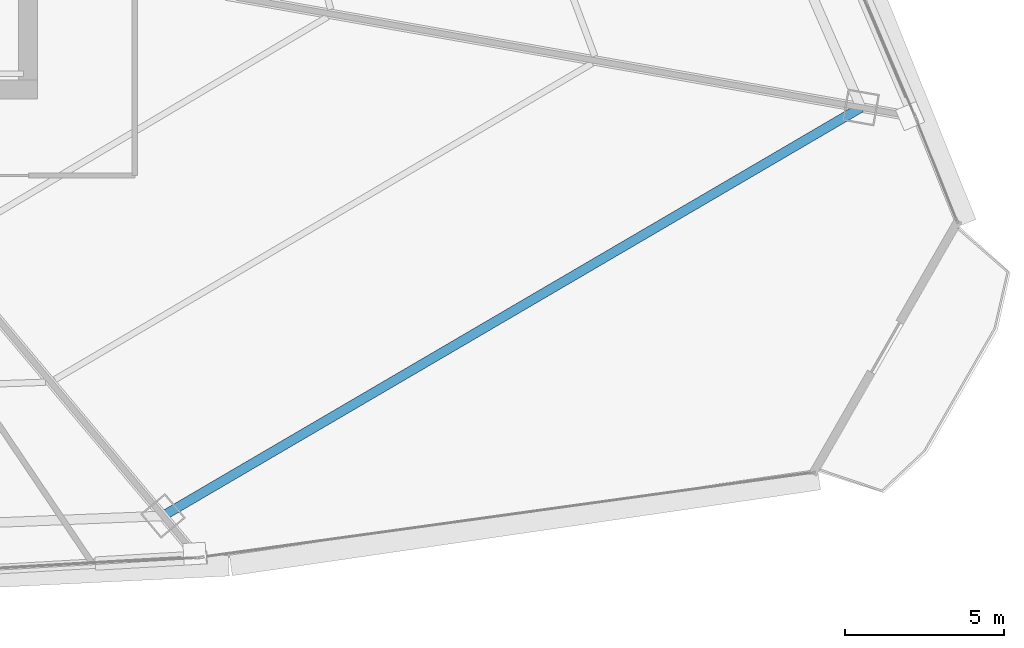
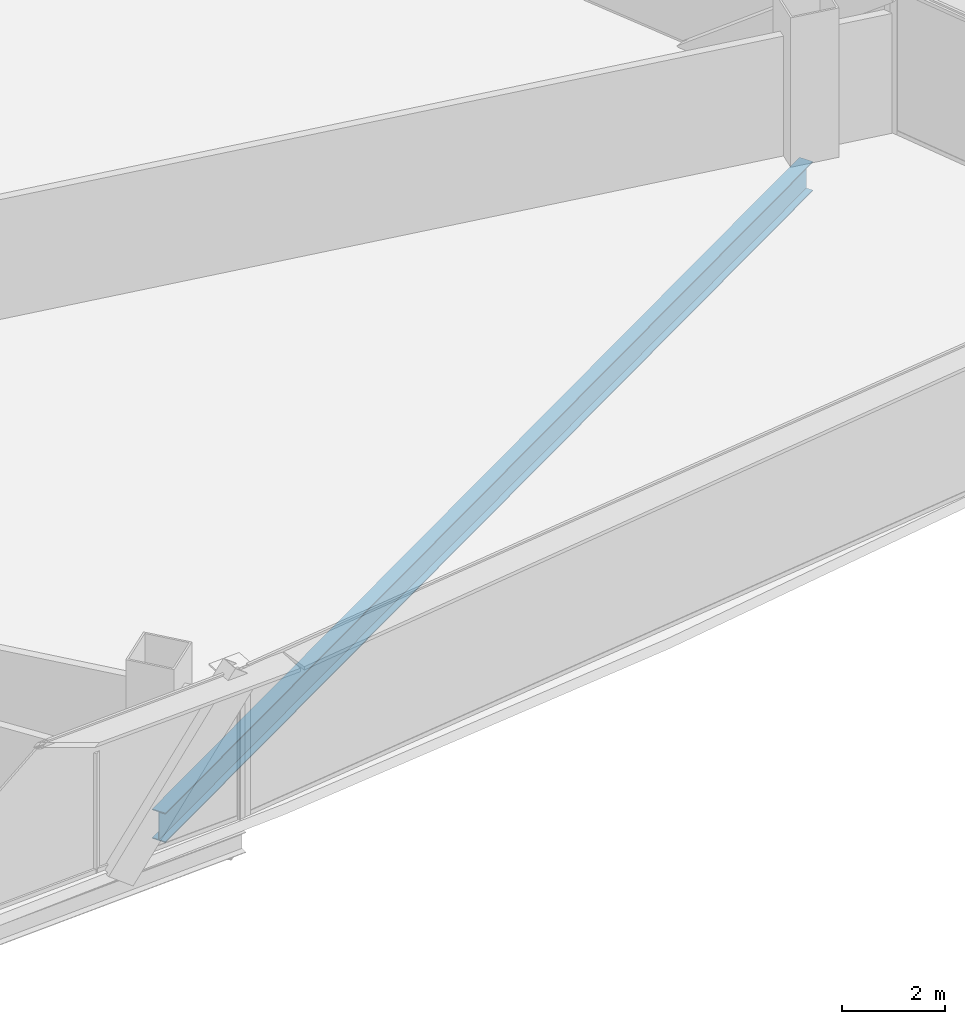
# One storey, part 21 of 36: 1 beam.
"""IFC4 building model written with IfcOpenShell, lengths in metres."""

from ifc_helpers import new_model, si_unit, direction, frame, origin, origin_2d, place, context, subcontext, project, spatial, i_section, extrude, source, transform, mapped, material, material_profile, profile_set, type_object, element, save


model = new_model("IFC4")

# Units and contexts
model_context = context("Model", 3, precision=1e-05, world=origin(), true_north=direction((0.0, 1.0)))
body_context = subcontext(model_context, "Body", "Model", "MODEL_VIEW")
ifc_project = project(units=[si_unit("LENGTHUNIT", "METRE"), si_unit("AREAUNIT", "SQUARE_METRE"), si_unit("VOLUMEUNIT", "CUBIC_METRE"), si_unit("PLANEANGLEUNIT", "RADIAN"), si_unit("MASSUNIT", "GRAM", prefix="KILO"), si_unit("THERMODYNAMICTEMPERATUREUNIT", "KELVIN"), si_unit("POWERUNIT", "WATT")], contexts=[model_context])

# Site, building, storey
site_placement = place(None, origin())
site = spatial("IfcSite", under=ifc_project, at=site_placement, CompositionType="ELEMENT")
building_placement = place(site_placement, origin())
building = spatial("IfcBuilding", under=site, at=building_placement, Name="Yunzhuo Pagoda Commons", CompositionType="ELEMENT")
storey_placement = place(building_placement, frame((0.0, 0.0, 107.780029296875)))
storey = spatial("IfcBuildingStorey", under=building, at=storey_placement, Name="L27", CompositionType="ELEMENT", Elevation=107.780029296875)

# Beam
ifc_material = material(Name="Structural steel Q355B", Category="steel")
ifc_material_profile = material_profile(ifc_material, i_section(OverallWidth=0.300048828125, OverallDepth=0.699951171875, WebThickness=0.012939453125, FlangeThickness=0.02392578125, at=origin_2d()), Name="Structural steel Q355B")
ifc_profile_set = profile_set([ifc_material_profile], Name="Structural steel Q355B")
beam_type = type_object("IfcBeamType", Name="B-RG1 Beam HN 700x300x13x24", PredefinedType="BEAM", material=ifc_profile_set)
shared_shape = source(origin(), body_context, "Body", "SweptSolid", [
    extrude(i_section(OverallWidth=0.300048828125, OverallDepth=0.699951171875, WebThickness=0.012939453125, FlangeThickness=0.02392578125, at=origin_2d()), origin(), (0.0, 0.0, 1.0), 25.3935546875),
])
beam_placement = place(storey_placement, frame((64.43603515625, 14.1123046875, -0.610107421875), z_axis=(0.863085207128, 0.505058338449, 0.0), x_axis=(-0.505058338449, 0.863085207128, 0.0)))
element("IfcBeam", 1, at=beam_placement, inside=storey, type_object=beam_type, Name="L27 column-ring beam 4", PredefinedType="BEAM", context=body_context, shape_type="MappedRepresentation", body=[
    mapped(shared_shape, transform((0.0, 0.0, 0.0), scale=1.0)),
])

save(model, "model.ifc")
